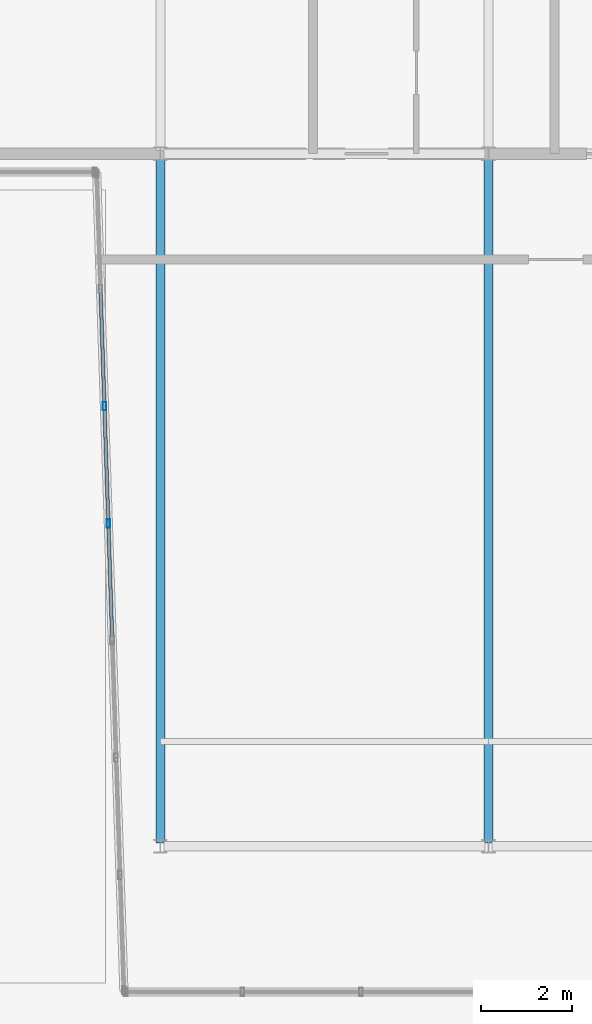
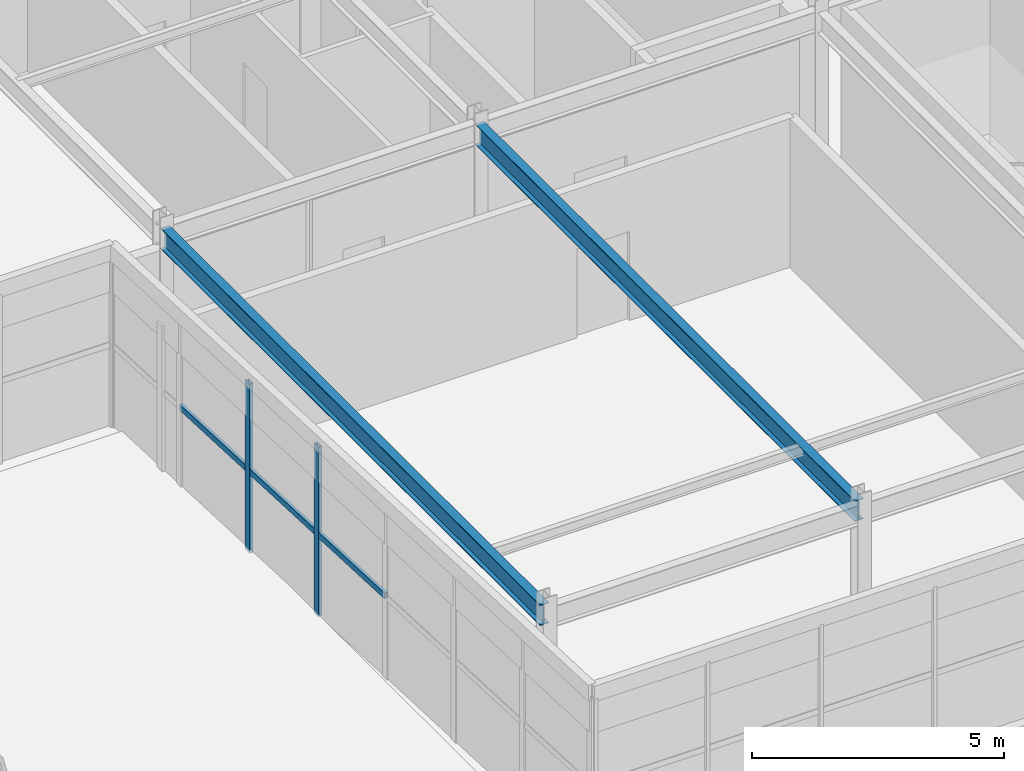
# One storey, part 17 of 37: 5 members, 2 beams, 1 element without a shape of its own.
"""IFC4 building model written with IfcOpenShell, lengths in metres."""

from ifc_helpers import new_model, si_unit, direction, frame, origin, origin_2d, place, context, subcontext, project, spatial, hollow_rectangle, i_section, extrude, source, transform, mapped, material, material_profile, profile_set, type_object, element, aggregate, save


model = new_model("IFC4")

# Units and contexts
model_context = context("Model", 3, precision=1e-05, world=origin(), true_north=direction((0.0, 1.0)))
body_context = subcontext(model_context, "Body", "Model", "MODEL_VIEW")
ifc_project = project(units=[si_unit("LENGTHUNIT", "METRE"), si_unit("AREAUNIT", "SQUARE_METRE"), si_unit("VOLUMEUNIT", "CUBIC_METRE"), si_unit("PLANEANGLEUNIT", "RADIAN"), si_unit("MASSUNIT", "GRAM", prefix="KILO")], contexts=[model_context])

# Site, building, storey
site_placement = place(None, origin())
site = spatial("IfcSite", under=ifc_project, at=site_placement, CompositionType="ELEMENT")
building_placement = place(site_placement, origin())
building = spatial("IfcBuilding", under=site, at=building_placement, Name="Trelvane Seafront Commons", CompositionType="ELEMENT")
storey_placement = place(building_placement, frame((0.0, 0.0, 303.5)))
storey = spatial("IfcBuildingStorey", under=building, at=storey_placement, Name="L79", CompositionType="ELEMENT", Elevation=303.5)

# Beams
ifc_material_1 = material(Name="Steel SM355 (S355)", Category="steel")
ifc_material_profile_1 = material_profile(ifc_material_1, i_section(OverallWidth=0.199951171875, OverallDepth=0.5, WebThickness=0.010009765625, FlangeThickness=0.01611328125, at=origin_2d()), Name="H-500x200x10x16")
ifc_profile_set_1 = profile_set([ifc_material_profile_1], Name="Steel SM355 (S355)")
beam_type = type_object("IfcBeamType", Name="STR-BM-H500", PredefinedType="BEAM", material=ifc_profile_set_1)
shared_shape_1 = source(origin(), body_context, "Body", "SweptSolid", [
    extrude(i_section(OverallWidth=0.199951171875, OverallDepth=0.5, WebThickness=0.010009765625, FlangeThickness=0.01611328125, at=origin_2d()), origin(), (0.0, 0.0, 1.0), 15.050048828125),
])
for number, where, z_axis, x_axis, name in (
    (1, (43.800048828125, 18.27490234375, 3.85009765625), (0.0, 1.0, 0.0), (-1.0, 0.0, 0.0), "L79 Primary Girder G-30"),
    (2, (51.0, 18.27490234375, 3.85009765625), (0.0, 1.0, 0.0), (-1.0, 0.0, 0.0), "L79 Primary Girder G-32"),
):
    element("IfcBeam", number, at=place(storey_placement, frame(where, z_axis=z_axis, x_axis=x_axis)), inside=storey, type_object=beam_type, Name=name, PredefinedType="BEAM", context=body_context, shape_type="MappedRepresentation", body=[
        mapped(shared_shape_1, transform((0.0, 0.0, 0.0), x_axis=(1.0, 0.0, 0.0), y_axis=(0.0, 1.0, 0.0), z_axis=(0.0, 0.0, 1.0), scale=1.0)),
    ])

# Curtain wall, members
ifc_material_2 = material(Name="Anodised pale-silver aluminium", Category="aluminium")
curtain_wall_type = type_object("IfcCurtainWallType", Name="ARCH-CW6-CROWN", PredefinedType="NOTDEFINED", material=ifc_material_2)
curtain_wall_placement = place(storey_placement, origin())
curtain_wall = element("IfcCurtainWall", 3, at=curtain_wall_placement, inside=storey, type_object=curtain_wall_type, Name="CW-L79-0132", PredefinedType="NOTDEFINED")
ifc_material_profile_2 = material_profile(ifc_material_2, hollow_rectangle(XDim=0.080078125, YDim=0.179931640625, WallThickness=0.00439453125, at=origin_2d()), Name="MULL-80x180x4.5")
ifc_profile_set_2 = profile_set([ifc_material_profile_2], Name="Anodised pale-silver aluminium")
member_type_1 = type_object("IfcMemberType", Name="ARCH-CW-MULL-180", PredefinedType="MULLION", material=ifc_profile_set_2)
shared_shape_2 = source(origin(), body_context, "Body", "SweptSolid", [
    extrude(hollow_rectangle(XDim=0.080078125, YDim=0.179931640625, WallThickness=0.00439453125, at=origin_2d()), origin(), (0.0, 0.0, 1.0), 4.10009765625),
])
member_1_placement = place(storey_placement, frame((42.656982421875, 25.28564453125, 0.0), z_axis=(0.0, 0.0, 1.0), x_axis=(1.0, 0.0, 0.0)))
member_1 = element("IfcMember", 4, at=member_1_placement, type_object=member_type_1, Name="CW-L79-0132-M04", PredefinedType="MULLION", context=body_context, shape_type="MappedRepresentation", body=[
    mapped(shared_shape_2, transform((0.0, 0.0, 0.0), x_axis=(1.0, 0.0, 0.0), y_axis=(0.0, 1.0, 0.0), z_axis=(0.0, 0.0, 1.0), scale=1.0)),
])
member_2_placement = place(storey_placement, frame((42.5712890625, 27.857177734375, 0.0), z_axis=(0.0, 0.0, 1.0), x_axis=(1.0, 0.0, 0.0)))
member_2 = element("IfcMember", 5, at=member_2_placement, type_object=member_type_1, Name="CW-L79-0132-M05", PredefinedType="MULLION", context=body_context, shape_type="MappedRepresentation", body=[
    mapped(shared_shape_2, transform((0.0, 0.0, 0.0), x_axis=(1.0, 0.0, 0.0), y_axis=(0.0, 1.0, 0.0), z_axis=(0.0, 0.0, 1.0), scale=1.0)),
])
ifc_material_profile_3 = material_profile(ifc_material_2, hollow_rectangle(XDim=0.074951171875, YDim=0.139892578125, WallThickness=0.00390625, at=origin_2d()), Name="TRAN-75x140x4")
ifc_profile_set_3 = profile_set([ifc_material_profile_3], Name="Anodised pale-silver aluminium")
member_type_2 = type_object("IfcMemberType", Name="ARCH-CW-TRAN-140", PredefinedType="USERDEFINED", material=ifc_profile_set_3)
shared_shape_3 = source(origin(), body_context, "Body", "SweptSolid", [
    extrude(hollow_rectangle(XDim=0.074951171875, YDim=0.139892578125, WallThickness=0.00390625, at=origin_2d()), origin(), (0.0, 0.0, 1.0), 2.548828125),
])
member_3_placement = place(storey_placement, frame((42.742431640625, 22.726318359375, 1.968017578125), z_axis=(-0.033333966416, 0.999444268923, 0.0), x_axis=(-0.999444268923, -0.033333966416, 0.0)))
member_3 = element("IfcMember", 6, at=member_3_placement, type_object=member_type_2, Name="CW-L79-0132-T03", ObjectType="TRANSOM", PredefinedType="USERDEFINED", context=body_context, shape_type="MappedRepresentation", body=[
    mapped(shared_shape_3, transform((0.0, 0.0, 0.0), x_axis=(1.0, 0.0, 0.0), y_axis=(0.0, 1.0, 0.0), z_axis=(0.0, 0.0, 1.0), scale=1.0)),
])
member_4_placement = place(storey_placement, frame((42.571044921875, 27.869140625, 1.968017578125), z_axis=(-0.033333966416, 0.999444268923, 0.0), x_axis=(-0.999444268923, -0.033333966416, 0.0)))
member_4 = element("IfcMember", 7, at=member_4_placement, type_object=member_type_2, Name="CW-L79-0132-T05", ObjectType="TRANSOM", PredefinedType="USERDEFINED", context=body_context, shape_type="MappedRepresentation", body=[
    mapped(shared_shape_3, transform((0.0, 0.0, 0.0), x_axis=(1.0, 0.0, 0.0), y_axis=(0.0, 1.0, 0.0), z_axis=(0.0, 0.0, 1.0), scale=1.0)),
])
shared_shape_4 = source(origin(), body_context, "Body", "SweptSolid", [
    extrude(hollow_rectangle(XDim=0.074951171875, YDim=0.139892578125, WallThickness=0.00390625, at=origin_2d()), origin(), (0.0, 0.0, 1.0), 2.549072265625),
])
member_5_placement = place(storey_placement, frame((42.65673828125, 25.297607421875, 1.968017578125), z_axis=(-0.033330775526, 0.999444375342, 0.0), x_axis=(-0.999444375342, -0.033330775526, 0.0)))
member_5 = element("IfcMember", 8, at=member_5_placement, type_object=member_type_2, Name="CW-L79-0132-T04", ObjectType="TRANSOM", PredefinedType="USERDEFINED", context=body_context, shape_type="MappedRepresentation", body=[
    mapped(shared_shape_4, transform((0.0, 0.0, 0.0), x_axis=(1.0, 0.0, 0.0), y_axis=(0.0, 1.0, 0.0), z_axis=(0.0, 0.0, 1.0), scale=1.0)),
])
aggregate(curtain_wall, [member_1, member_2, member_3, member_5, member_4])

save(model, "model.ifc")
